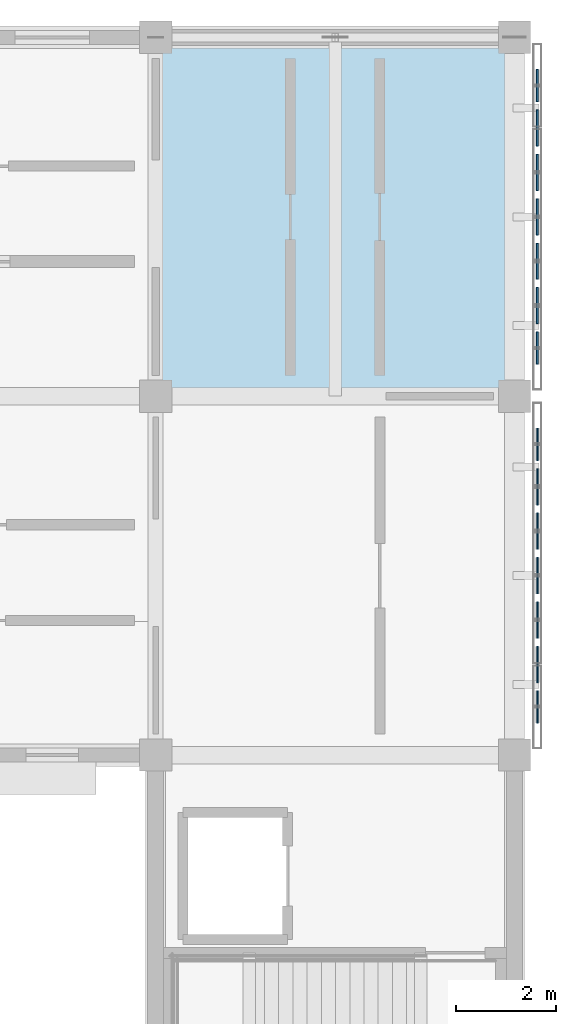
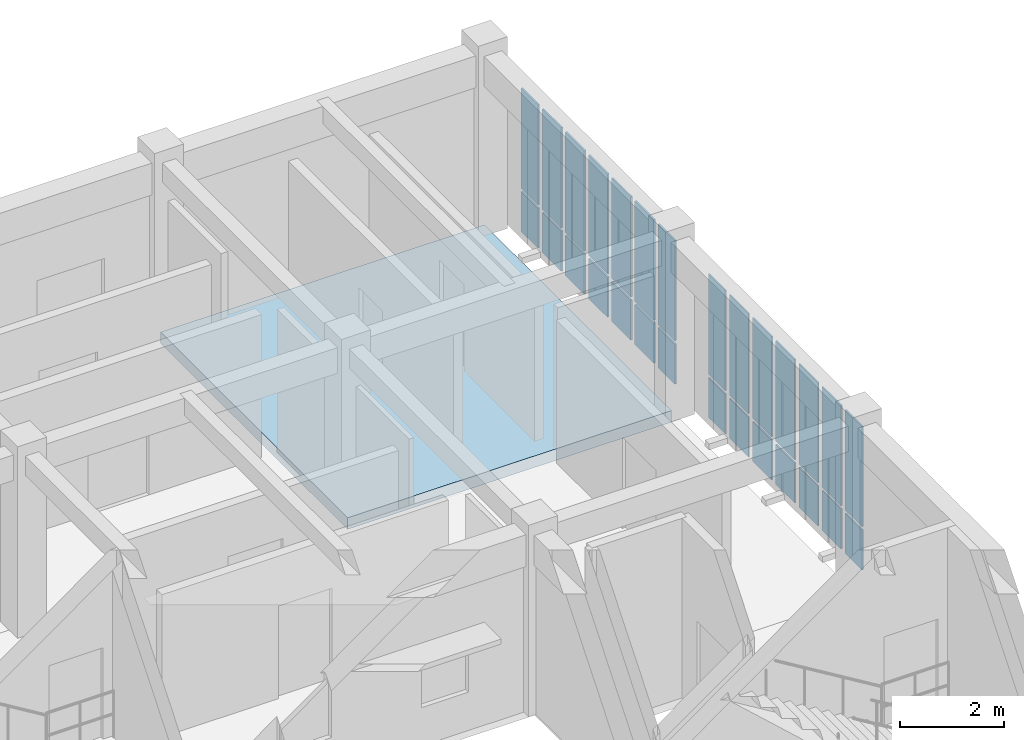
# One storey, part 112 of 171: 28 plates, 1 slab, 2 elements without a shape of their own.
"""IFC4 building model written with IfcOpenShell, lengths in metres."""

from ifc_helpers import new_model, si_unit, direction, frame, origin, origin_2d, place, context, subcontext, project, spatial, polyline, rectangle, outline, extrude, material, layer, layer_set, type_object, element, aggregate, save


model = new_model("IFC4")

# Units and contexts
model_context = context("Model", 3, precision=1e-05, world=origin(), true_north=direction((0.0, 1.0)))
body_context = subcontext(model_context, "Body", "Model", "MODEL_VIEW")
ifc_project = project(units=[si_unit("LENGTHUNIT", "METRE"), si_unit("AREAUNIT", "SQUARE_METRE"), si_unit("VOLUMEUNIT", "CUBIC_METRE"), si_unit("PLANEANGLEUNIT", "RADIAN"), si_unit("MASSUNIT", "GRAM", prefix="KILO")], contexts=[model_context])

# Site, building, storey
site_placement = place(None, origin())
site = spatial("IfcSite", under=ifc_project, at=site_placement, CompositionType="ELEMENT")
building_placement = place(site_placement, origin())
building = spatial("IfcBuilding", under=site, at=building_placement, Name="Aldebral Square Health Centre", CompositionType="ELEMENT")
storey_placement = place(building_placement, frame((0.0, 0.0, 4.5)))
storey = spatial("IfcBuildingStorey", under=building, at=storey_placement, Name="L01", CompositionType="ELEMENT", Elevation=4.5)

# Curtain wall, plates
ifc_material_1 = material(Name="Aluminium and low-E solar glass", Category="aluminium")
curtain_wall_type = type_object("IfcCurtainWallType", Name="CW-FIN-SYS", PredefinedType="USERDEFINED", material=ifc_material_1)
curtain_wall_1_placement = place(storey_placement, origin())
curtain_wall_1 = element("IfcCurtainWall", 1, at=curtain_wall_1_placement, inside=storey, type_object=curtain_wall_type, Name="L01 V5 finned curtain wall L01-V5-22-14-E", ObjectType="SOLAR_CURTAIN_WALL", PredefinedType="USERDEFINED")
ifc_material_2 = material(Name="Solar-control low-E double glass", Category="glass")
ifc_layer_1 = layer(ifc_material_2, 0.030029296875, Name="Solar-control low-E double glass", Category="glass")
ifc_layer_set_1 = layer_set([ifc_layer_1], Name="Solar-control low-E double glass")
plate_type_1 = type_object("IfcPlateType", Name="CWP-GLZ-2", PredefinedType="CURTAIN_PANEL", material=ifc_layer_set_1)
plate_1_placement = place(storey_placement, frame((166.06005859375, 101.765625, 0.074951171875), z_axis=(0.0, 0.0, 1.0), x_axis=(0.0, 1.0, 0.0)))
plate_1 = element("IfcPlate", 2, at=plate_1_placement, type_object=plate_type_1, Name="CW1 panel 1.1", PredefinedType="CURTAIN_PANEL", context=body_context, shape_type="SweptSolid", body=[
    extrude(rectangle(XDim=0.6513671875, YDim=0.030029296875, at=origin_2d()), origin(), (0.0, 0.0, 1.0), 0.9375),
])
plate_2_placement = place(storey_placement, frame((166.06005859375, 101.765625, 1.087646484375), z_axis=(0.0, 0.0, 1.0), x_axis=(0.0, 1.0, 0.0)))
plate_2 = element("IfcPlate", 3, at=plate_2_placement, type_object=plate_type_1, Name="CW1 panel 1.2", PredefinedType="CURTAIN_PANEL", context=body_context, shape_type="SweptSolid", body=[
    extrude(rectangle(XDim=0.6513671875, YDim=0.030029296875, at=origin_2d()), origin(), (0.0, 0.0, 1.0), 2.357421875),
])
plate_3_placement = place(storey_placement, frame((166.06005859375, 102.6171875, 0.074951171875), z_axis=(0.0, 0.0, 1.0), x_axis=(0.0, 1.0, 0.0)))
plate_3 = element("IfcPlate", 4, at=plate_3_placement, type_object=plate_type_1, Name="CW1 panel 2.1", PredefinedType="CURTAIN_PANEL", context=body_context, shape_type="SweptSolid", body=[
    extrude(rectangle(XDim=0.7314453125, YDim=0.030029296875, at=origin_2d()), origin(), (0.0, 0.0, 1.0), 0.9375),
])
plate_4_placement = place(storey_placement, frame((166.06005859375, 102.6171875, 1.087646484375), z_axis=(0.0, 0.0, 1.0), x_axis=(0.0, 1.0, 0.0)))
plate_4 = element("IfcPlate", 5, at=plate_4_placement, type_object=plate_type_1, Name="CW1 panel 2.2", PredefinedType="CURTAIN_PANEL", context=body_context, shape_type="SweptSolid", body=[
    extrude(rectangle(XDim=0.7314453125, YDim=0.030029296875, at=origin_2d()), origin(), (0.0, 0.0, 1.0), 2.357421875),
])
plate_5_placement = place(storey_placement, frame((166.06005859375, 103.508544921875, 0.074951171875), z_axis=(0.0, 0.0, 1.0), x_axis=(0.0, 1.0, 0.0)))
plate_5 = element("IfcPlate", 6, at=plate_5_placement, type_object=plate_type_1, Name="CW1 panel 3.1", PredefinedType="CURTAIN_PANEL", context=body_context, shape_type="SweptSolid", body=[
    extrude(rectangle(XDim=0.7314453125, YDim=0.030029296875, at=origin_2d()), origin(), (0.0, 0.0, 1.0), 0.9375),
])
plate_6_placement = place(storey_placement, frame((166.06005859375, 103.508544921875, 1.087646484375), z_axis=(0.0, 0.0, 1.0), x_axis=(0.0, 1.0, 0.0)))
plate_6 = element("IfcPlate", 7, at=plate_6_placement, type_object=plate_type_1, Name="CW1 panel 3.2", PredefinedType="CURTAIN_PANEL", context=body_context, shape_type="SweptSolid", body=[
    extrude(rectangle(XDim=0.7314453125, YDim=0.030029296875, at=origin_2d()), origin(), (0.0, 0.0, 1.0), 2.357421875),
])
plate_7_placement = place(storey_placement, frame((166.06005859375, 104.39990234375, 0.074951171875), z_axis=(0.0, 0.0, 1.0), x_axis=(0.0, 1.0, 0.0)))
plate_7 = element("IfcPlate", 8, at=plate_7_placement, type_object=plate_type_1, Name="CW1 panel 4.1", PredefinedType="CURTAIN_PANEL", context=body_context, shape_type="SweptSolid", body=[
    extrude(rectangle(XDim=0.7314453125, YDim=0.030029296875, at=origin_2d()), origin(), (0.0, 0.0, 1.0), 0.9375),
])
plate_8_placement = place(storey_placement, frame((166.06005859375, 104.39990234375, 1.087646484375), z_axis=(0.0, 0.0, 1.0), x_axis=(0.0, 1.0, 0.0)))
plate_8 = element("IfcPlate", 9, at=plate_8_placement, type_object=plate_type_1, Name="CW1 panel 4.2", PredefinedType="CURTAIN_PANEL", context=body_context, shape_type="SweptSolid", body=[
    extrude(rectangle(XDim=0.7314453125, YDim=0.030029296875, at=origin_2d()), origin(), (0.0, 0.0, 1.0), 2.357421875),
])
plate_9_placement = place(storey_placement, frame((166.06005859375, 105.29150390625, 0.074951171875), z_axis=(0.0, 0.0, 1.0), x_axis=(0.0, 1.0, 0.0)))
plate_9 = element("IfcPlate", 10, at=plate_9_placement, type_object=plate_type_1, Name="CW1 panel 5.1", PredefinedType="CURTAIN_PANEL", context=body_context, shape_type="SweptSolid", body=[
    extrude(rectangle(XDim=0.7314453125, YDim=0.030029296875, at=origin_2d()), origin(), (0.0, 0.0, 1.0), 0.9375),
])
plate_10_placement = place(storey_placement, frame((166.06005859375, 105.29150390625, 1.087646484375), z_axis=(0.0, 0.0, 1.0), x_axis=(0.0, 1.0, 0.0)))
plate_10 = element("IfcPlate", 11, at=plate_10_placement, type_object=plate_type_1, Name="CW1 panel 5.2", PredefinedType="CURTAIN_PANEL", context=body_context, shape_type="SweptSolid", body=[
    extrude(rectangle(XDim=0.7314453125, YDim=0.030029296875, at=origin_2d()), origin(), (0.0, 0.0, 1.0), 2.357421875),
])
plate_11_placement = place(storey_placement, frame((166.06005859375, 106.182861328125, 0.074951171875), z_axis=(0.0, 0.0, 1.0), x_axis=(0.0, 1.0, 0.0)))
plate_11 = element("IfcPlate", 12, at=plate_11_placement, type_object=plate_type_1, Name="CW1 panel 6.1", PredefinedType="CURTAIN_PANEL", context=body_context, shape_type="SweptSolid", body=[
    extrude(rectangle(XDim=0.7314453125, YDim=0.030029296875, at=origin_2d()), origin(), (0.0, 0.0, 1.0), 0.9375),
])
plate_12_placement = place(storey_placement, frame((166.06005859375, 106.182861328125, 1.087646484375), z_axis=(0.0, 0.0, 1.0), x_axis=(0.0, 1.0, 0.0)))
plate_12 = element("IfcPlate", 13, at=plate_12_placement, type_object=plate_type_1, Name="CW1 panel 6.2", PredefinedType="CURTAIN_PANEL", context=body_context, shape_type="SweptSolid", body=[
    extrude(rectangle(XDim=0.7314453125, YDim=0.030029296875, at=origin_2d()), origin(), (0.0, 0.0, 1.0), 2.357421875),
])
plate_13_placement = place(storey_placement, frame((166.06005859375, 107.0341796875, 0.074951171875), z_axis=(0.0, 0.0, 1.0), x_axis=(0.0, 1.0, 0.0)))
plate_13 = element("IfcPlate", 14, at=plate_13_placement, type_object=plate_type_1, Name="CW1 panel 7.1", PredefinedType="CURTAIN_PANEL", context=body_context, shape_type="SweptSolid", body=[
    extrude(rectangle(XDim=0.6513671875, YDim=0.030029296875, at=origin_2d()), origin(), (0.0, 0.0, 1.0), 0.9375),
])
plate_14_placement = place(storey_placement, frame((166.06005859375, 107.0341796875, 1.087646484375), z_axis=(0.0, 0.0, 1.0), x_axis=(0.0, 1.0, 0.0)))
plate_14 = element("IfcPlate", 15, at=plate_14_placement, type_object=plate_type_1, Name="CW1 panel 7.2", PredefinedType="CURTAIN_PANEL", context=body_context, shape_type="SweptSolid", body=[
    extrude(rectangle(XDim=0.6513671875, YDim=0.030029296875, at=origin_2d()), origin(), (0.0, 0.0, 1.0), 2.357421875),
])
aggregate(curtain_wall_1, [plate_1, plate_2, plate_3, plate_4, plate_5, plate_6, plate_7, plate_8, plate_9, plate_10, plate_11, plate_12, plate_13, plate_14])

curtain_wall_2_placement = place(storey_placement, origin())
curtain_wall_2 = element("IfcCurtainWall", 16, at=curtain_wall_2_placement, inside=storey, type_object=curtain_wall_type, Name="L01 V5 finned curtain wall L01-V5-22-15-E", ObjectType="SOLAR_CURTAIN_WALL", PredefinedType="USERDEFINED")
ifc_layer_2 = layer(ifc_material_2, 0.0400390625, Name="Solar-control low-E double glass", Category="glass")
ifc_layer_set_2 = layer_set([ifc_layer_2], Name="Solar-control low-E double glass")
plate_type_2 = type_object("IfcPlateType", Name="CWP-GLZ-3", PredefinedType="CURTAIN_PANEL", material=ifc_layer_set_2)
plate_15_placement = place(storey_placement, frame((166.06005859375, 108.9658203125, 0.074951171875), z_axis=(0.0, 0.0, 1.0), x_axis=(0.0, 1.0, 0.0)))
plate_15 = element("IfcPlate", 17, at=plate_15_placement, type_object=plate_type_2, Name="CW1 panel 1.1", PredefinedType="CURTAIN_PANEL", context=body_context, shape_type="SweptSolid", body=[
    extrude(rectangle(XDim=0.6513671875, YDim=0.0400390625, at=origin_2d()), origin(), (0.0, 0.0, 1.0), 0.9375),
])
plate_16_placement = place(storey_placement, frame((166.06005859375, 108.9658203125, 1.087646484375), z_axis=(0.0, 0.0, 1.0), x_axis=(0.0, 1.0, 0.0)))
plate_16 = element("IfcPlate", 18, at=plate_16_placement, type_object=plate_type_2, Name="CW1 panel 1.2", PredefinedType="CURTAIN_PANEL", context=body_context, shape_type="SweptSolid", body=[
    extrude(rectangle(XDim=0.6513671875, YDim=0.0400390625, at=origin_2d()), origin(), (0.0, 0.0, 1.0), 2.357421875),
])
plate_17_placement = place(storey_placement, frame((166.06005859375, 109.817138671875, 0.074951171875), z_axis=(0.0, 0.0, 1.0), x_axis=(0.0, 1.0, 0.0)))
plate_17 = element("IfcPlate", 19, at=plate_17_placement, type_object=plate_type_2, Name="CW1 panel 2.1", PredefinedType="CURTAIN_PANEL", context=body_context, shape_type="SweptSolid", body=[
    extrude(rectangle(XDim=0.7314453125, YDim=0.0400390625, at=origin_2d()), origin(), (0.0, 0.0, 1.0), 0.9375),
])
plate_18_placement = place(storey_placement, frame((166.06005859375, 109.817138671875, 1.087646484375), z_axis=(0.0, 0.0, 1.0), x_axis=(0.0, 1.0, 0.0)))
plate_18 = element("IfcPlate", 20, at=plate_18_placement, type_object=plate_type_2, Name="CW1 panel 2.2", PredefinedType="CURTAIN_PANEL", context=body_context, shape_type="SweptSolid", body=[
    extrude(rectangle(XDim=0.7314453125, YDim=0.0400390625, at=origin_2d()), origin(), (0.0, 0.0, 1.0), 2.357421875),
])
plate_19_placement = place(storey_placement, frame((166.06005859375, 110.70849609375, 0.074951171875), z_axis=(0.0, 0.0, 1.0), x_axis=(0.0, 1.0, 0.0)))
plate_19 = element("IfcPlate", 21, at=plate_19_placement, type_object=plate_type_2, Name="CW1 panel 3.1", PredefinedType="CURTAIN_PANEL", context=body_context, shape_type="SweptSolid", body=[
    extrude(rectangle(XDim=0.7314453125, YDim=0.0400390625, at=origin_2d()), origin(), (0.0, 0.0, 1.0), 0.9375),
])
plate_20_placement = place(storey_placement, frame((166.06005859375, 110.70849609375, 1.087646484375), z_axis=(0.0, 0.0, 1.0), x_axis=(0.0, 1.0, 0.0)))
plate_20 = element("IfcPlate", 22, at=plate_20_placement, type_object=plate_type_2, Name="CW1 panel 3.2", PredefinedType="CURTAIN_PANEL", context=body_context, shape_type="SweptSolid", body=[
    extrude(rectangle(XDim=0.7314453125, YDim=0.0400390625, at=origin_2d()), origin(), (0.0, 0.0, 1.0), 2.357421875),
])
plate_21_placement = place(storey_placement, frame((166.06005859375, 111.60009765625, 0.074951171875), z_axis=(0.0, 0.0, 1.0), x_axis=(0.0, 1.0, 0.0)))
plate_21 = element("IfcPlate", 23, at=plate_21_placement, type_object=plate_type_2, Name="CW1 panel 4.1", PredefinedType="CURTAIN_PANEL", context=body_context, shape_type="SweptSolid", body=[
    extrude(rectangle(XDim=0.7314453125, YDim=0.0400390625, at=origin_2d()), origin(), (0.0, 0.0, 1.0), 0.9375),
])
plate_22_placement = place(storey_placement, frame((166.06005859375, 111.60009765625, 1.087646484375), z_axis=(0.0, 0.0, 1.0), x_axis=(0.0, 1.0, 0.0)))
plate_22 = element("IfcPlate", 24, at=plate_22_placement, type_object=plate_type_2, Name="CW1 panel 4.2", PredefinedType="CURTAIN_PANEL", context=body_context, shape_type="SweptSolid", body=[
    extrude(rectangle(XDim=0.7314453125, YDim=0.0400390625, at=origin_2d()), origin(), (0.0, 0.0, 1.0), 2.357421875),
])
plate_23_placement = place(storey_placement, frame((166.06005859375, 112.491455078125, 0.074951171875), z_axis=(0.0, 0.0, 1.0), x_axis=(0.0, 1.0, 0.0)))
plate_23 = element("IfcPlate", 25, at=plate_23_placement, type_object=plate_type_2, Name="CW1 panel 5.1", PredefinedType="CURTAIN_PANEL", context=body_context, shape_type="SweptSolid", body=[
    extrude(rectangle(XDim=0.7314453125, YDim=0.0400390625, at=origin_2d()), origin(), (0.0, 0.0, 1.0), 0.9375),
])
plate_24_placement = place(storey_placement, frame((166.06005859375, 112.491455078125, 1.087646484375), z_axis=(0.0, 0.0, 1.0), x_axis=(0.0, 1.0, 0.0)))
plate_24 = element("IfcPlate", 26, at=plate_24_placement, type_object=plate_type_2, Name="CW1 panel 5.2", PredefinedType="CURTAIN_PANEL", context=body_context, shape_type="SweptSolid", body=[
    extrude(rectangle(XDim=0.7314453125, YDim=0.0400390625, at=origin_2d()), origin(), (0.0, 0.0, 1.0), 2.357421875),
])
plate_25_placement = place(storey_placement, frame((166.06005859375, 113.3828125, 0.074951171875), z_axis=(0.0, 0.0, 1.0), x_axis=(0.0, 1.0, 0.0)))
plate_25 = element("IfcPlate", 27, at=plate_25_placement, type_object=plate_type_2, Name="CW1 panel 6.1", PredefinedType="CURTAIN_PANEL", context=body_context, shape_type="SweptSolid", body=[
    extrude(rectangle(XDim=0.7314453125, YDim=0.0400390625, at=origin_2d()), origin(), (0.0, 0.0, 1.0), 0.9375),
])
plate_26_placement = place(storey_placement, frame((166.06005859375, 113.3828125, 1.087646484375), z_axis=(0.0, 0.0, 1.0), x_axis=(0.0, 1.0, 0.0)))
plate_26 = element("IfcPlate", 28, at=plate_26_placement, type_object=plate_type_2, Name="CW1 panel 6.2", PredefinedType="CURTAIN_PANEL", context=body_context, shape_type="SweptSolid", body=[
    extrude(rectangle(XDim=0.7314453125, YDim=0.0400390625, at=origin_2d()), origin(), (0.0, 0.0, 1.0), 2.357421875),
])
plate_27_placement = place(storey_placement, frame((166.06005859375, 114.234375, 0.074951171875), z_axis=(0.0, 0.0, 1.0), x_axis=(0.0, 1.0, 0.0)))
plate_27 = element("IfcPlate", 29, at=plate_27_placement, type_object=plate_type_2, Name="CW1 panel 7.1", PredefinedType="CURTAIN_PANEL", context=body_context, shape_type="SweptSolid", body=[
    extrude(rectangle(XDim=0.6513671875, YDim=0.0400390625, at=origin_2d()), origin(), (0.0, 0.0, 1.0), 0.9375),
])
plate_28_placement = place(storey_placement, frame((166.06005859375, 114.234375, 1.087646484375), z_axis=(0.0, 0.0, 1.0), x_axis=(0.0, 1.0, 0.0)))
plate_28 = element("IfcPlate", 30, at=plate_28_placement, type_object=plate_type_2, Name="CW1 panel 7.2", PredefinedType="CURTAIN_PANEL", context=body_context, shape_type="SweptSolid", body=[
    extrude(rectangle(XDim=0.6513671875, YDim=0.0400390625, at=origin_2d()), origin(), (0.0, 0.0, 1.0), 2.357421875),
])
aggregate(curtain_wall_2, [plate_15, plate_16, plate_17, plate_18, plate_19, plate_20, plate_21, plate_22, plate_23, plate_24, plate_25, plate_26, plate_27, plate_28])

# Slab
ifc_material_3 = material(Name="Concrete C35/45", Category="concrete")
ifc_layer_3 = layer(ifc_material_3, 0.27001953125, Name="Concrete C35/45", Category="concrete")
ifc_layer_set_3 = layer_set([ifc_layer_3], Name="Concrete C35/45")
slab_type = type_object("IfcSlabType", Name="SL-FLR-270", PredefinedType="FLOOR", material=ifc_layer_set_3)
slab_placement = place(storey_placement, frame((0.0, 0.0, -0.27001953125)))
element("IfcSlab", 31, at=slab_placement, inside=storey, type_object=slab_type, Name="L01 V5 floor slab 14", PredefinedType="FLOOR", context=body_context, shape_type="SweptSolid", body=[
    extrude(outline(polyline([(158.39990234375, 108.0), (158.39990234375, 115.199951171875), (165.60009765625, 115.199951171875), (165.60009765625, 108.0), (158.39990234375, 108.0)])), origin(), (0.0, 0.0, 1.0), 0.27001953125),
])

save(model, "model.ifc")
